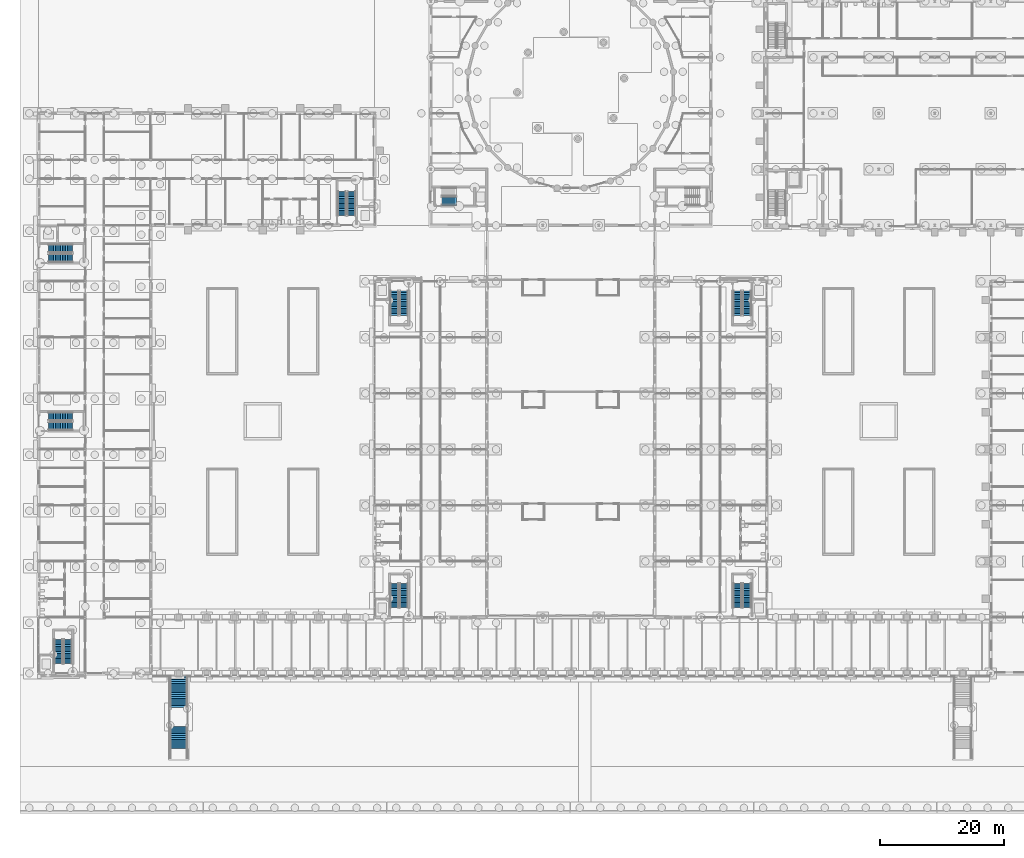
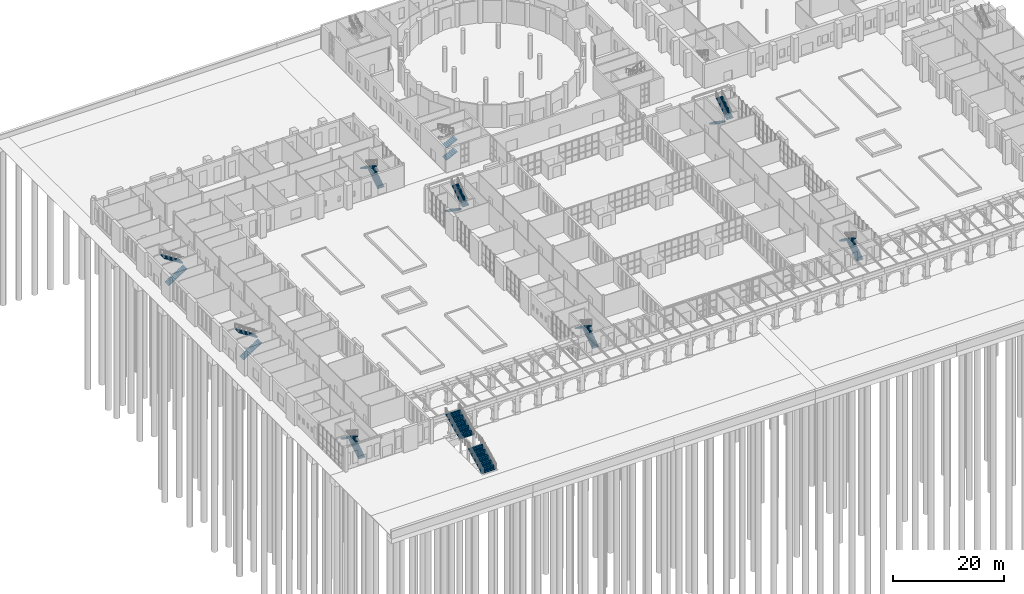
# One storey, part 111 of 168: 20 stair flights, 10 elements without a shape of their own.
"""IFC4 building model written with IfcOpenShell, lengths in metres."""

from ifc_helpers import new_model, si_unit, direction, frame, origin, place, context, subcontext, project, spatial, polyline, outline, extrude, material, type_object, element, aggregate, save


model = new_model("IFC4")

# Units and contexts
model_context = context("Model", 3, precision=1e-05, world=origin(), true_north=direction((0.0, 1.0)))
body_context = subcontext(model_context, "Body", "Model", "MODEL_VIEW")
ifc_project = project(units=[si_unit("LENGTHUNIT", "METRE"), si_unit("AREAUNIT", "SQUARE_METRE"), si_unit("VOLUMEUNIT", "CUBIC_METRE"), si_unit("PLANEANGLEUNIT", "RADIAN"), si_unit("MASSUNIT", "GRAM", prefix="KILO")], contexts=[model_context])

# Site, building, storey
site_placement = place(None, origin())
site = spatial("IfcSite", under=ifc_project, at=site_placement, CompositionType="ELEMENT")
building_placement = place(site_placement, origin())
building = spatial("IfcBuilding", under=site, at=building_placement, Name="Golden Quay Civic Hall", CompositionType="ELEMENT")
storey_placement = place(building_placement, origin())
storey = spatial("IfcBuildingStorey", under=building, at=storey_placement, Name="L00", CompositionType="ELEMENT", Elevation=0.0)

# Stair, stair flights
ifc_material_1 = material(Name="Concrete C35/45", Category="concrete")
stair_type_1 = type_object("IfcStairType", Name="Concrete stair 1350 wide 30 risers of 180.0", PredefinedType="HALF_TURN_STAIR", material=ifc_material_1)
stair_1_placement = place(storey_placement, origin())
stair_1 = element("IfcStair", 1, at=stair_1_placement, inside=storey, type_object=stair_type_1, Name="L00 Stair WO-S", PredefinedType="HALF_TURN_STAIR")
ifc_material_2 = material(Name="Concrete C35/45", Category="concrete")
stair_flight_type_1 = type_object("IfcStairFlightType", Name="Concrete stair flight 1350 wide 15 risers of 180.0", PredefinedType="STRAIGHT", material=ifc_material_2)
stair_flight_1_placement = place(storey_placement, frame((4.675048828125, -7.449951171875, 0.0), z_axis=(0.0, 0.0, 1.0), x_axis=(0.0, 1.0, 0.0)))
stair_flight_1 = element("IfcStairFlight", 2, at=stair_flight_1_placement, type_object=stair_flight_type_1, Name="WO-S flight 1", NumberOfRisers=15, NumberOfTreads=14, PredefinedType="STRAIGHT", RiserHeight=0.18, TreadLength=0.28, context=body_context, shape_type="SweptSolid", body=[
    extrude(outline(polyline([(0.0, 0.0), (0.0, 0.179931640625), (0.280029296875, 0.179931640625), (0.280029296875, 0.360107421875), (0.56005859375, 0.360107421875), (0.56005859375, 0.5400390625), (0.840087890625, 0.5400390625), (0.840087890625, 0.719970703125), (1.1201171875, 0.719970703125), (1.1201171875, 0.89990234375), (1.39990234375, 0.89990234375), (1.39990234375, 1.080078125), (1.679931640625, 1.080078125), (1.679931640625, 1.260009765625), (1.9599609375, 1.260009765625), (1.9599609375, 1.43994140625), (2.239990234375, 1.43994140625), (2.239990234375, 1.6201171875), (2.52001953125, 1.6201171875), (2.52001953125, 1.800048828125), (2.800048828125, 1.800048828125), (2.800048828125, 1.97998046875), (3.080078125, 1.97998046875), (3.080078125, 2.159912109375), (3.360107421875, 2.159912109375), (3.360107421875, 2.340087890625), (3.639892578125, 2.340087890625), (3.639892578125, 2.52001953125), (3.919921875, 2.52001953125), (3.919921875, 2.699951171875), (3.919921875, 2.341796875), (0.277099609375, 0.0), (0.0, 0.0)])), frame((0.0, 0.675048828125, 0.0), z_axis=(0.0, -1.0, 0.0), x_axis=(1.0, 0.0, 0.0)), (0.0, 0.0, 1.0), 1.35),
])
stair_flight_2_placement = place(storey_placement, frame((3.175048828125, -3.530029296875, 2.699951171875), z_axis=(0.0, 0.0, 1.0), x_axis=(0.0, -1.0, 0.0)))
stair_flight_2 = element("IfcStairFlight", 3, at=stair_flight_2_placement, type_object=stair_flight_type_1, Name="WO-S flight 2", NumberOfRisers=15, NumberOfTreads=14, PredefinedType="STRAIGHT", RiserHeight=0.18, TreadLength=0.28, context=body_context, shape_type="SweptSolid", body=[
    extrude(outline(polyline([(0.0, 0.0), (0.0, 0.179931640625), (0.280029296875, 0.179931640625), (0.280029296875, 0.360107421875), (0.56005859375, 0.360107421875), (0.56005859375, 0.5400390625), (0.840087890625, 0.5400390625), (0.840087890625, 0.719970703125), (1.1201171875, 0.719970703125), (1.1201171875, 0.89990234375), (1.39990234375, 0.89990234375), (1.39990234375, 1.080078125), (1.679931640625, 1.080078125), (1.679931640625, 1.260009765625), (1.9599609375, 1.260009765625), (1.9599609375, 1.43994140625), (2.239990234375, 1.43994140625), (2.239990234375, 1.6201171875), (2.52001953125, 1.6201171875), (2.52001953125, 1.800048828125), (2.800048828125, 1.800048828125), (2.800048828125, 1.97998046875), (3.080078125, 1.97998046875), (3.080078125, 2.159912109375), (3.360107421875, 2.159912109375), (3.360107421875, 2.340087890625), (3.639892578125, 2.340087890625), (3.639892578125, 2.52001953125), (3.919921875, 2.52001953125), (3.919921875, 2.699951171875), (3.919921875, 2.341796875), (0.277099609375, 0.0), (0.0, 0.0)])), frame((0.0, 0.675048828125, 0.0), z_axis=(0.0, -1.0, 0.0), x_axis=(1.0, 0.0, 0.0)), (0.0, 0.0, 1.0), 1.35),
])
aggregate(stair_1, [stair_flight_1, stair_flight_2])

stair_2_placement = place(storey_placement, origin())
stair_2 = element("IfcStair", 4, at=stair_2_placement, inside=storey, type_object=stair_type_1, Name="L00 Stair WO-N", PredefinedType="HALF_TURN_STAIR")
stair_flight_3_placement = place(storey_placement, frame((1.550048828125, 57.75, 0.0), z_axis=(0.0, 0.0, 1.0), x_axis=(1.0, 0.0, 0.0)))
stair_flight_3 = element("IfcStairFlight", 5, at=stair_flight_3_placement, type_object=stair_flight_type_1, Name="WO-N flight 1", NumberOfRisers=15, NumberOfTreads=14, PredefinedType="STRAIGHT", RiserHeight=0.18, TreadLength=0.28, context=body_context, shape_type="SweptSolid", body=[
    extrude(outline(polyline([(0.0, 0.0), (0.0, 0.179931640625), (0.280029296875, 0.179931640625), (0.280029296875, 0.360107421875), (0.56005859375, 0.360107421875), (0.56005859375, 0.5400390625), (0.840087890625, 0.5400390625), (0.840087890625, 0.719970703125), (1.1201171875, 0.719970703125), (1.1201171875, 0.89990234375), (1.39990234375, 0.89990234375), (1.39990234375, 1.080078125), (1.679931640625, 1.080078125), (1.679931640625, 1.260009765625), (1.9599609375, 1.260009765625), (1.9599609375, 1.43994140625), (2.239990234375, 1.43994140625), (2.239990234375, 1.6201171875), (2.52001953125, 1.6201171875), (2.52001953125, 1.800048828125), (2.800048828125, 1.800048828125), (2.800048828125, 1.97998046875), (3.080078125, 1.97998046875), (3.080078125, 2.159912109375), (3.360107421875, 2.159912109375), (3.360107421875, 2.340087890625), (3.639892578125, 2.340087890625), (3.639892578125, 2.52001953125), (3.919921875, 2.52001953125), (3.919921875, 2.699951171875), (3.919921875, 2.341796875), (0.277099609375, 0.0), (0.0, 0.0)])), frame((0.0, 0.675048828125, 0.0), z_axis=(0.0, -1.0, 0.0), x_axis=(1.0, 0.0, 0.0)), (0.0, 0.0, 1.0), 1.35),
])
stair_flight_4_placement = place(storey_placement, frame((5.469970703125, 59.25, 2.699951171875), z_axis=(0.0, 0.0, 1.0), x_axis=(-1.0, 0.0, 0.0)))
stair_flight_4 = element("IfcStairFlight", 6, at=stair_flight_4_placement, type_object=stair_flight_type_1, Name="WO-N flight 2", NumberOfRisers=15, NumberOfTreads=14, PredefinedType="STRAIGHT", RiserHeight=0.18, TreadLength=0.28, context=body_context, shape_type="SweptSolid", body=[
    extrude(outline(polyline([(0.0, 0.0), (0.0, 0.179931640625), (0.280029296875, 0.179931640625), (0.280029296875, 0.360107421875), (0.56005859375, 0.360107421875), (0.56005859375, 0.5400390625), (0.840087890625, 0.5400390625), (0.840087890625, 0.719970703125), (1.1201171875, 0.719970703125), (1.1201171875, 0.89990234375), (1.39990234375, 0.89990234375), (1.39990234375, 1.080078125), (1.679931640625, 1.080078125), (1.679931640625, 1.260009765625), (1.9599609375, 1.260009765625), (1.9599609375, 1.43994140625), (2.239990234375, 1.43994140625), (2.239990234375, 1.6201171875), (2.52001953125, 1.6201171875), (2.52001953125, 1.800048828125), (2.800048828125, 1.800048828125), (2.800048828125, 1.97998046875), (3.080078125, 1.97998046875), (3.080078125, 2.159912109375), (3.360107421875, 2.159912109375), (3.360107421875, 2.340087890625), (3.639892578125, 2.340087890625), (3.639892578125, 2.52001953125), (3.919921875, 2.52001953125), (3.919921875, 2.699951171875), (3.919921875, 2.341796875), (0.277099609375, 0.0), (0.0, 0.0)])), frame((0.0, 0.675048828125, 0.0), z_axis=(0.0, -1.0, 0.0), x_axis=(1.0, 0.0, 0.0)), (0.0, 0.0, 1.0), 1.35),
])
aggregate(stair_2, [stair_flight_3, stair_flight_4])

stair_3_placement = place(storey_placement, origin())
stair_3 = element("IfcStair", 7, at=stair_3_placement, inside=storey, type_object=stair_type_1, Name="L00 Stair WO-M", PredefinedType="HALF_TURN_STAIR")
stair_flight_5_placement = place(storey_placement, frame((1.550048828125, 30.75, 0.0), z_axis=(0.0, 0.0, 1.0), x_axis=(1.0, 0.0, 0.0)))
stair_flight_5 = element("IfcStairFlight", 8, at=stair_flight_5_placement, type_object=stair_flight_type_1, Name="WO-M flight 1", NumberOfRisers=15, NumberOfTreads=14, PredefinedType="STRAIGHT", RiserHeight=0.18, TreadLength=0.28, context=body_context, shape_type="SweptSolid", body=[
    extrude(outline(polyline([(0.0, 0.0), (0.0, 0.179931640625), (0.280029296875, 0.179931640625), (0.280029296875, 0.360107421875), (0.56005859375, 0.360107421875), (0.56005859375, 0.5400390625), (0.840087890625, 0.5400390625), (0.840087890625, 0.719970703125), (1.1201171875, 0.719970703125), (1.1201171875, 0.89990234375), (1.39990234375, 0.89990234375), (1.39990234375, 1.080078125), (1.679931640625, 1.080078125), (1.679931640625, 1.260009765625), (1.9599609375, 1.260009765625), (1.9599609375, 1.43994140625), (2.239990234375, 1.43994140625), (2.239990234375, 1.6201171875), (2.52001953125, 1.6201171875), (2.52001953125, 1.800048828125), (2.800048828125, 1.800048828125), (2.800048828125, 1.97998046875), (3.080078125, 1.97998046875), (3.080078125, 2.159912109375), (3.360107421875, 2.159912109375), (3.360107421875, 2.340087890625), (3.639892578125, 2.340087890625), (3.639892578125, 2.52001953125), (3.919921875, 2.52001953125), (3.919921875, 2.699951171875), (3.919921875, 2.341796875), (0.277099609375, 0.0), (0.0, 0.0)])), frame((0.0, 0.675048828125, 0.0), z_axis=(0.0, -1.0, 0.0), x_axis=(1.0, 0.0, 0.0)), (0.0, 0.0, 1.0), 1.35),
])
stair_flight_6_placement = place(storey_placement, frame((5.469970703125, 32.25, 2.699951171875), z_axis=(0.0, 0.0, 1.0), x_axis=(-1.0, 0.0, 0.0)))
stair_flight_6 = element("IfcStairFlight", 9, at=stair_flight_6_placement, type_object=stair_flight_type_1, Name="WO-M flight 2", NumberOfRisers=15, NumberOfTreads=14, PredefinedType="STRAIGHT", RiserHeight=0.18, TreadLength=0.28, context=body_context, shape_type="SweptSolid", body=[
    extrude(outline(polyline([(0.0, 0.0), (0.0, 0.179931640625), (0.280029296875, 0.179931640625), (0.280029296875, 0.360107421875), (0.56005859375, 0.360107421875), (0.56005859375, 0.5400390625), (0.840087890625, 0.5400390625), (0.840087890625, 0.719970703125), (1.1201171875, 0.719970703125), (1.1201171875, 0.89990234375), (1.39990234375, 0.89990234375), (1.39990234375, 1.080078125), (1.679931640625, 1.080078125), (1.679931640625, 1.260009765625), (1.9599609375, 1.260009765625), (1.9599609375, 1.43994140625), (2.239990234375, 1.43994140625), (2.239990234375, 1.6201171875), (2.52001953125, 1.6201171875), (2.52001953125, 1.800048828125), (2.800048828125, 1.800048828125), (2.800048828125, 1.97998046875), (3.080078125, 1.97998046875), (3.080078125, 2.159912109375), (3.360107421875, 2.159912109375), (3.360107421875, 2.340087890625), (3.639892578125, 2.340087890625), (3.639892578125, 2.52001953125), (3.919921875, 2.52001953125), (3.919921875, 2.699951171875), (3.919921875, 2.341796875), (0.277099609375, 0.0), (0.0, 0.0)])), frame((0.0, 0.675048828125, 0.0), z_axis=(0.0, -1.0, 0.0), x_axis=(1.0, 0.0, 0.0)), (0.0, 0.0, 1.0), 1.35),
])
aggregate(stair_3, [stair_flight_5, stair_flight_6])

stair_4_placement = place(storey_placement, origin())
stair_4 = element("IfcStair", 10, at=stair_4_placement, inside=storey, type_object=stair_type_1, Name="L00 Stair NW-E", PredefinedType="HALF_TURN_STAIR")
stair_flight_7_placement = place(storey_placement, frame((50.25, 64.550048828125, 0.0), z_axis=(0.0, 0.0, 1.0), x_axis=(0.0, 1.0, 0.0)))
stair_flight_7 = element("IfcStairFlight", 11, at=stair_flight_7_placement, type_object=stair_flight_type_1, Name="NW-E flight 1", NumberOfRisers=15, NumberOfTreads=14, PredefinedType="STRAIGHT", RiserHeight=0.18, TreadLength=0.28, context=body_context, shape_type="SweptSolid", body=[
    extrude(outline(polyline([(0.0, 0.0), (0.0, 0.179931640625), (0.280029296875, 0.179931640625), (0.280029296875, 0.360107421875), (0.56005859375, 0.360107421875), (0.56005859375, 0.5400390625), (0.840087890625, 0.5400390625), (0.840087890625, 0.719970703125), (1.1201171875, 0.719970703125), (1.1201171875, 0.89990234375), (1.39990234375, 0.89990234375), (1.39990234375, 1.080078125), (1.679931640625, 1.080078125), (1.679931640625, 1.260009765625), (1.9599609375, 1.260009765625), (1.9599609375, 1.43994140625), (2.239990234375, 1.43994140625), (2.239990234375, 1.6201171875), (2.52001953125, 1.6201171875), (2.52001953125, 1.800048828125), (2.800048828125, 1.800048828125), (2.800048828125, 1.97998046875), (3.080078125, 1.97998046875), (3.080078125, 2.159912109375), (3.360107421875, 2.159912109375), (3.360107421875, 2.340087890625), (3.639892578125, 2.340087890625), (3.639892578125, 2.52001953125), (3.919921875, 2.52001953125), (3.919921875, 2.699951171875), (3.919921875, 2.341796875), (0.277099609375, 0.0), (0.0, 0.0)])), frame((0.0, 0.675048828125, 0.0), z_axis=(0.0, -1.0, 0.0), x_axis=(1.0, 0.0, 0.0)), (0.0, 0.0, 1.0), 1.35),
])
stair_flight_8_placement = place(storey_placement, frame((48.75, 68.469970703125, 2.699951171875), z_axis=(0.0, 0.0, 1.0), x_axis=(0.0, -1.0, 0.0)))
stair_flight_8 = element("IfcStairFlight", 12, at=stair_flight_8_placement, type_object=stair_flight_type_1, Name="NW-E flight 2", NumberOfRisers=15, NumberOfTreads=14, PredefinedType="STRAIGHT", RiserHeight=0.18, TreadLength=0.28, context=body_context, shape_type="SweptSolid", body=[
    extrude(outline(polyline([(0.0, 0.0), (0.0, 0.179931640625), (0.280029296875, 0.179931640625), (0.280029296875, 0.360107421875), (0.56005859375, 0.360107421875), (0.56005859375, 0.5400390625), (0.840087890625, 0.5400390625), (0.840087890625, 0.719970703125), (1.1201171875, 0.719970703125), (1.1201171875, 0.89990234375), (1.39990234375, 0.89990234375), (1.39990234375, 1.080078125), (1.679931640625, 1.080078125), (1.679931640625, 1.260009765625), (1.9599609375, 1.260009765625), (1.9599609375, 1.43994140625), (2.239990234375, 1.43994140625), (2.239990234375, 1.6201171875), (2.52001953125, 1.6201171875), (2.52001953125, 1.800048828125), (2.800048828125, 1.800048828125), (2.800048828125, 1.97998046875), (3.080078125, 1.97998046875), (3.080078125, 2.159912109375), (3.360107421875, 2.159912109375), (3.360107421875, 2.340087890625), (3.639892578125, 2.340087890625), (3.639892578125, 2.52001953125), (3.919921875, 2.52001953125), (3.919921875, 2.699951171875), (3.919921875, 2.341796875), (0.277099609375, 0.0), (0.0, 0.0)])), frame((0.0, 0.675048828125, 0.0), z_axis=(0.0, -1.0, 0.0), x_axis=(1.0, 0.0, 0.0)), (0.0, 0.0, 1.0), 1.35),
])
aggregate(stair_4, [stair_flight_7, stair_flight_8])

stair_5_placement = place(storey_placement, origin())
stair_5 = element("IfcStair", 13, at=stair_5_placement, inside=storey, type_object=stair_type_1, Name="L00 Stair WM-S", PredefinedType="HALF_TURN_STAIR")
stair_flight_9_placement = place(storey_placement, frame((58.675048828125, 1.550048828125, 0.0), z_axis=(0.0, 0.0, 1.0), x_axis=(0.0, 1.0, 0.0)))
stair_flight_9 = element("IfcStairFlight", 14, at=stair_flight_9_placement, type_object=stair_flight_type_1, Name="WM-S flight 1", NumberOfRisers=15, NumberOfTreads=14, PredefinedType="STRAIGHT", RiserHeight=0.18, TreadLength=0.28, context=body_context, shape_type="SweptSolid", body=[
    extrude(outline(polyline([(0.0, 0.0), (0.0, 0.179931640625), (0.280029296875, 0.179931640625), (0.280029296875, 0.360107421875), (0.56005859375, 0.360107421875), (0.56005859375, 0.5400390625), (0.840087890625, 0.5400390625), (0.840087890625, 0.719970703125), (1.1201171875, 0.719970703125), (1.1201171875, 0.89990234375), (1.39990234375, 0.89990234375), (1.39990234375, 1.080078125), (1.679931640625, 1.080078125), (1.679931640625, 1.260009765625), (1.9599609375, 1.260009765625), (1.9599609375, 1.43994140625), (2.239990234375, 1.43994140625), (2.239990234375, 1.6201171875), (2.52001953125, 1.6201171875), (2.52001953125, 1.800048828125), (2.800048828125, 1.800048828125), (2.800048828125, 1.97998046875), (3.080078125, 1.97998046875), (3.080078125, 2.159912109375), (3.360107421875, 2.159912109375), (3.360107421875, 2.340087890625), (3.639892578125, 2.340087890625), (3.639892578125, 2.52001953125), (3.919921875, 2.52001953125), (3.919921875, 2.699951171875), (3.919921875, 2.341796875), (0.277099609375, 0.0), (0.0, 0.0)])), frame((0.0, 0.675048828125, 0.0), z_axis=(0.0, -1.0, 0.0), x_axis=(1.0, 0.0, 0.0)), (0.0, 0.0, 1.0), 1.35),
])
stair_flight_10_placement = place(storey_placement, frame((57.175048828125, 5.469970703125, 2.699951171875), z_axis=(0.0, 0.0, 1.0), x_axis=(0.0, -1.0, 0.0)))
stair_flight_10 = element("IfcStairFlight", 15, at=stair_flight_10_placement, type_object=stair_flight_type_1, Name="WM-S flight 2", NumberOfRisers=15, NumberOfTreads=14, PredefinedType="STRAIGHT", RiserHeight=0.18, TreadLength=0.28, context=body_context, shape_type="SweptSolid", body=[
    extrude(outline(polyline([(0.0, 0.0), (0.0, 0.179931640625), (0.280029296875, 0.179931640625), (0.280029296875, 0.360107421875), (0.56005859375, 0.360107421875), (0.56005859375, 0.5400390625), (0.840087890625, 0.5400390625), (0.840087890625, 0.719970703125), (1.1201171875, 0.719970703125), (1.1201171875, 0.89990234375), (1.39990234375, 0.89990234375), (1.39990234375, 1.080078125), (1.679931640625, 1.080078125), (1.679931640625, 1.260009765625), (1.9599609375, 1.260009765625), (1.9599609375, 1.43994140625), (2.239990234375, 1.43994140625), (2.239990234375, 1.6201171875), (2.52001953125, 1.6201171875), (2.52001953125, 1.800048828125), (2.800048828125, 1.800048828125), (2.800048828125, 1.97998046875), (3.080078125, 1.97998046875), (3.080078125, 2.159912109375), (3.360107421875, 2.159912109375), (3.360107421875, 2.340087890625), (3.639892578125, 2.340087890625), (3.639892578125, 2.52001953125), (3.919921875, 2.52001953125), (3.919921875, 2.699951171875), (3.919921875, 2.341796875), (0.277099609375, 0.0), (0.0, 0.0)])), frame((0.0, 0.675048828125, 0.0), z_axis=(0.0, -1.0, 0.0), x_axis=(1.0, 0.0, 0.0)), (0.0, 0.0, 1.0), 1.35),
])
aggregate(stair_5, [stair_flight_9, stair_flight_10])

stair_6_placement = place(storey_placement, origin())
stair_6 = element("IfcStair", 16, at=stair_6_placement, inside=storey, type_object=stair_type_1, Name="L00 Stair WM-N", PredefinedType="HALF_TURN_STAIR")
stair_flight_11_placement = place(storey_placement, frame((57.175048828125, 52.449951171875, 0.0), z_axis=(0.0, 0.0, 1.0), x_axis=(0.0, -1.0, 0.0)))
stair_flight_11 = element("IfcStairFlight", 17, at=stair_flight_11_placement, type_object=stair_flight_type_1, Name="WM-N flight 1", NumberOfRisers=15, NumberOfTreads=14, PredefinedType="STRAIGHT", RiserHeight=0.18, TreadLength=0.28, context=body_context, shape_type="SweptSolid", body=[
    extrude(outline(polyline([(0.0, 0.0), (0.0, 0.179931640625), (0.280029296875, 0.179931640625), (0.280029296875, 0.360107421875), (0.56005859375, 0.360107421875), (0.56005859375, 0.5400390625), (0.840087890625, 0.5400390625), (0.840087890625, 0.719970703125), (1.1201171875, 0.719970703125), (1.1201171875, 0.89990234375), (1.39990234375, 0.89990234375), (1.39990234375, 1.080078125), (1.679931640625, 1.080078125), (1.679931640625, 1.260009765625), (1.9599609375, 1.260009765625), (1.9599609375, 1.43994140625), (2.239990234375, 1.43994140625), (2.239990234375, 1.6201171875), (2.52001953125, 1.6201171875), (2.52001953125, 1.800048828125), (2.800048828125, 1.800048828125), (2.800048828125, 1.97998046875), (3.080078125, 1.97998046875), (3.080078125, 2.159912109375), (3.360107421875, 2.159912109375), (3.360107421875, 2.340087890625), (3.639892578125, 2.340087890625), (3.639892578125, 2.52001953125), (3.919921875, 2.52001953125), (3.919921875, 2.699951171875), (3.919921875, 2.341796875), (0.277099609375, 0.0), (0.0, 0.0)])), frame((0.0, 0.675048828125, 0.0), z_axis=(0.0, -1.0, 0.0), x_axis=(1.0, 0.0, 0.0)), (0.0, 0.0, 1.0), 1.35),
])
stair_flight_12_placement = place(storey_placement, frame((58.675048828125, 48.530029296875, 2.699951171875), z_axis=(0.0, 0.0, 1.0), x_axis=(0.0, 1.0, 0.0)))
stair_flight_12 = element("IfcStairFlight", 18, at=stair_flight_12_placement, type_object=stair_flight_type_1, Name="WM-N flight 2", NumberOfRisers=15, NumberOfTreads=14, PredefinedType="STRAIGHT", RiserHeight=0.18, TreadLength=0.28, context=body_context, shape_type="SweptSolid", body=[
    extrude(outline(polyline([(0.0, 0.0), (0.0, 0.179931640625), (0.280029296875, 0.179931640625), (0.280029296875, 0.360107421875), (0.56005859375, 0.360107421875), (0.56005859375, 0.5400390625), (0.840087890625, 0.5400390625), (0.840087890625, 0.719970703125), (1.1201171875, 0.719970703125), (1.1201171875, 0.89990234375), (1.39990234375, 0.89990234375), (1.39990234375, 1.080078125), (1.679931640625, 1.080078125), (1.679931640625, 1.260009765625), (1.9599609375, 1.260009765625), (1.9599609375, 1.43994140625), (2.239990234375, 1.43994140625), (2.239990234375, 1.6201171875), (2.52001953125, 1.6201171875), (2.52001953125, 1.800048828125), (2.800048828125, 1.800048828125), (2.800048828125, 1.97998046875), (3.080078125, 1.97998046875), (3.080078125, 2.159912109375), (3.360107421875, 2.159912109375), (3.360107421875, 2.340087890625), (3.639892578125, 2.340087890625), (3.639892578125, 2.52001953125), (3.919921875, 2.52001953125), (3.919921875, 2.699951171875), (3.919921875, 2.341796875), (0.277099609375, 0.0), (0.0, 0.0)])), frame((0.0, 0.675048828125, 0.0), z_axis=(0.0, -1.0, 0.0), x_axis=(1.0, 0.0, 0.0)), (0.0, 0.0, 1.0), 1.35),
])
aggregate(stair_6, [stair_flight_11, stair_flight_12])

stair_7_placement = place(storey_placement, origin())
stair_7 = element("IfcStair", 19, at=stair_7_placement, inside=storey, type_object=stair_type_1, Name="L00 Stair EM-S", PredefinedType="HALF_TURN_STAIR")
stair_flight_13_placement = place(storey_placement, frame((113.824951171875, 1.550048828125, 0.0), z_axis=(0.0, 0.0, 1.0), x_axis=(0.0, 1.0, 0.0)))
stair_flight_13 = element("IfcStairFlight", 20, at=stair_flight_13_placement, type_object=stair_flight_type_1, Name="EM-S flight 1", NumberOfRisers=15, NumberOfTreads=14, PredefinedType="STRAIGHT", RiserHeight=0.18, TreadLength=0.28, context=body_context, shape_type="SweptSolid", body=[
    extrude(outline(polyline([(0.0, 0.0), (0.0, 0.179931640625), (0.280029296875, 0.179931640625), (0.280029296875, 0.360107421875), (0.56005859375, 0.360107421875), (0.56005859375, 0.5400390625), (0.840087890625, 0.5400390625), (0.840087890625, 0.719970703125), (1.1201171875, 0.719970703125), (1.1201171875, 0.89990234375), (1.39990234375, 0.89990234375), (1.39990234375, 1.080078125), (1.679931640625, 1.080078125), (1.679931640625, 1.260009765625), (1.9599609375, 1.260009765625), (1.9599609375, 1.43994140625), (2.239990234375, 1.43994140625), (2.239990234375, 1.6201171875), (2.52001953125, 1.6201171875), (2.52001953125, 1.800048828125), (2.800048828125, 1.800048828125), (2.800048828125, 1.97998046875), (3.080078125, 1.97998046875), (3.080078125, 2.159912109375), (3.360107421875, 2.159912109375), (3.360107421875, 2.340087890625), (3.639892578125, 2.340087890625), (3.639892578125, 2.52001953125), (3.919921875, 2.52001953125), (3.919921875, 2.699951171875), (3.919921875, 2.341796875), (0.277099609375, 0.0), (0.0, 0.0)])), frame((0.0, 0.675048828125, 0.0), z_axis=(0.0, -1.0, 0.0), x_axis=(1.0, 0.0, 0.0)), (0.0, 0.0, 1.0), 1.35),
])
stair_flight_14_placement = place(storey_placement, frame((112.324951171875, 5.469970703125, 2.699951171875), z_axis=(0.0, 0.0, 1.0), x_axis=(0.0, -1.0, 0.0)))
stair_flight_14 = element("IfcStairFlight", 21, at=stair_flight_14_placement, type_object=stair_flight_type_1, Name="EM-S flight 2", NumberOfRisers=15, NumberOfTreads=14, PredefinedType="STRAIGHT", RiserHeight=0.18, TreadLength=0.28, context=body_context, shape_type="SweptSolid", body=[
    extrude(outline(polyline([(0.0, 0.0), (0.0, 0.179931640625), (0.280029296875, 0.179931640625), (0.280029296875, 0.360107421875), (0.56005859375, 0.360107421875), (0.56005859375, 0.5400390625), (0.840087890625, 0.5400390625), (0.840087890625, 0.719970703125), (1.1201171875, 0.719970703125), (1.1201171875, 0.89990234375), (1.39990234375, 0.89990234375), (1.39990234375, 1.080078125), (1.679931640625, 1.080078125), (1.679931640625, 1.260009765625), (1.9599609375, 1.260009765625), (1.9599609375, 1.43994140625), (2.239990234375, 1.43994140625), (2.239990234375, 1.6201171875), (2.52001953125, 1.6201171875), (2.52001953125, 1.800048828125), (2.800048828125, 1.800048828125), (2.800048828125, 1.97998046875), (3.080078125, 1.97998046875), (3.080078125, 2.159912109375), (3.360107421875, 2.159912109375), (3.360107421875, 2.340087890625), (3.639892578125, 2.340087890625), (3.639892578125, 2.52001953125), (3.919921875, 2.52001953125), (3.919921875, 2.699951171875), (3.919921875, 2.341796875), (0.277099609375, 0.0), (0.0, 0.0)])), frame((0.0, 0.675048828125, 0.0), z_axis=(0.0, -1.0, 0.0), x_axis=(1.0, 0.0, 0.0)), (0.0, 0.0, 1.0), 1.35),
])
aggregate(stair_7, [stair_flight_13, stair_flight_14])

stair_8_placement = place(storey_placement, origin())
stair_8 = element("IfcStair", 22, at=stair_8_placement, inside=storey, type_object=stair_type_1, Name="L00 Stair EM-N", PredefinedType="HALF_TURN_STAIR")
stair_flight_15_placement = place(storey_placement, frame((112.324951171875, 52.449951171875, 0.0), z_axis=(0.0, 0.0, 1.0), x_axis=(0.0, -1.0, 0.0)))
stair_flight_15 = element("IfcStairFlight", 23, at=stair_flight_15_placement, type_object=stair_flight_type_1, Name="EM-N flight 1", NumberOfRisers=15, NumberOfTreads=14, PredefinedType="STRAIGHT", RiserHeight=0.18, TreadLength=0.28, context=body_context, shape_type="SweptSolid", body=[
    extrude(outline(polyline([(0.0, 0.0), (0.0, 0.179931640625), (0.280029296875, 0.179931640625), (0.280029296875, 0.360107421875), (0.56005859375, 0.360107421875), (0.56005859375, 0.5400390625), (0.840087890625, 0.5400390625), (0.840087890625, 0.719970703125), (1.1201171875, 0.719970703125), (1.1201171875, 0.89990234375), (1.39990234375, 0.89990234375), (1.39990234375, 1.080078125), (1.679931640625, 1.080078125), (1.679931640625, 1.260009765625), (1.9599609375, 1.260009765625), (1.9599609375, 1.43994140625), (2.239990234375, 1.43994140625), (2.239990234375, 1.6201171875), (2.52001953125, 1.6201171875), (2.52001953125, 1.800048828125), (2.800048828125, 1.800048828125), (2.800048828125, 1.97998046875), (3.080078125, 1.97998046875), (3.080078125, 2.159912109375), (3.360107421875, 2.159912109375), (3.360107421875, 2.340087890625), (3.639892578125, 2.340087890625), (3.639892578125, 2.52001953125), (3.919921875, 2.52001953125), (3.919921875, 2.699951171875), (3.919921875, 2.341796875), (0.277099609375, 0.0), (0.0, 0.0)])), frame((0.0, 0.675048828125, 0.0), z_axis=(0.0, -1.0, 0.0), x_axis=(1.0, 0.0, 0.0)), (0.0, 0.0, 1.0), 1.35),
])
stair_flight_16_placement = place(storey_placement, frame((113.824951171875, 48.530029296875, 2.699951171875), z_axis=(0.0, 0.0, 1.0), x_axis=(0.0, 1.0, 0.0)))
stair_flight_16 = element("IfcStairFlight", 24, at=stair_flight_16_placement, type_object=stair_flight_type_1, Name="EM-N flight 2", NumberOfRisers=15, NumberOfTreads=14, PredefinedType="STRAIGHT", RiserHeight=0.18, TreadLength=0.28, context=body_context, shape_type="SweptSolid", body=[
    extrude(outline(polyline([(0.0, 0.0), (0.0, 0.179931640625), (0.280029296875, 0.179931640625), (0.280029296875, 0.360107421875), (0.56005859375, 0.360107421875), (0.56005859375, 0.5400390625), (0.840087890625, 0.5400390625), (0.840087890625, 0.719970703125), (1.1201171875, 0.719970703125), (1.1201171875, 0.89990234375), (1.39990234375, 0.89990234375), (1.39990234375, 1.080078125), (1.679931640625, 1.080078125), (1.679931640625, 1.260009765625), (1.9599609375, 1.260009765625), (1.9599609375, 1.43994140625), (2.239990234375, 1.43994140625), (2.239990234375, 1.6201171875), (2.52001953125, 1.6201171875), (2.52001953125, 1.800048828125), (2.800048828125, 1.800048828125), (2.800048828125, 1.97998046875), (3.080078125, 1.97998046875), (3.080078125, 2.159912109375), (3.360107421875, 2.159912109375), (3.360107421875, 2.340087890625), (3.639892578125, 2.340087890625), (3.639892578125, 2.52001953125), (3.919921875, 2.52001953125), (3.919921875, 2.699951171875), (3.919921875, 2.341796875), (0.277099609375, 0.0), (0.0, 0.0)])), frame((0.0, 0.675048828125, 0.0), z_axis=(0.0, -1.0, 0.0), x_axis=(1.0, 0.0, 0.0)), (0.0, 0.0, 1.0), 1.35),
])
aggregate(stair_8, [stair_flight_15, stair_flight_16])

ifc_material_3 = material(Name="Concrete C30/37", Category="concrete")
stair_type_2 = type_object("IfcStairType", Name="Public stair concrete 3000", PredefinedType="TWO_STRAIGHT_RUN_STAIR", material=ifc_material_3)
stair_9_placement = place(storey_placement, origin())
stair_9 = element("IfcStair", 25, at=stair_9_placement, inside=storey, type_object=stair_type_2, Name="Public stair west", PredefinedType="TWO_STRAIGHT_RUN_STAIR")
ifc_material_4 = material(Name="Concrete C30/37", Category="concrete")
stair_flight_type_2 = type_object("IfcStairFlightType", Name="Public stair flight concrete 3000", PredefinedType="STRAIGHT", material=ifc_material_4)
stair_flight_17_placement = place(storey_placement, frame((22.5, -22.60009765625, 0.0), z_axis=(0.0, 0.0, 1.0), x_axis=(0.0, 1.0, 0.0)))
stair_flight_17 = element("IfcStairFlight", 26, at=stair_flight_17_placement, type_object=stair_flight_type_2, Name="ST1 flight 1", NumberOfRisers=18, NumberOfTreads=17, PredefinedType="STRAIGHT", RiserHeight=0.15, TreadLength=0.3, context=body_context, shape_type="SweptSolid", body=[
    extrude(outline(polyline([(0.0, 0.0), (0.0, 0.14990234375), (0.300048828125, 0.14990234375), (0.300048828125, 0.300048828125), (0.60009765625, 0.300048828125), (0.60009765625, 0.449951171875), (0.89990234375, 0.449951171875), (0.89990234375, 0.60009765625), (1.199951171875, 0.60009765625), (1.199951171875, 0.75), (1.5, 0.75), (1.5, 0.89990234375), (1.800048828125, 0.89990234375), (1.800048828125, 1.050048828125), (2.10009765625, 1.050048828125), (2.10009765625, 1.199951171875), (2.39990234375, 1.199951171875), (2.39990234375, 1.35009765625), (2.699951171875, 1.35009765625), (2.699951171875, 1.5), (3.0, 1.5), (3.0, 1.64990234375), (3.300048828125, 1.64990234375), (3.300048828125, 1.800048828125), (3.60009765625, 1.800048828125), (3.60009765625, 1.949951171875), (3.89990234375, 1.949951171875), (3.89990234375, 2.10009765625), (4.199951171875, 2.10009765625), (4.199951171875, 2.25), (4.5, 2.25), (4.5, 2.39990234375), (4.800048828125, 2.39990234375), (4.800048828125, 2.550048828125), (5.10009765625, 2.550048828125), (5.10009765625, 2.699951171875), (5.10009765625, 2.38232421875), (0.335205078125, 0.0), (0.0, 0.0)])), frame((0.0, 1.5, 0.0), z_axis=(0.0, -1.0, 0.0), x_axis=(1.0, 0.0, 0.0)), (0.0, 0.0, 1.0), 3.0),
])
stair_flight_18_placement = place(storey_placement, frame((22.5, -14.5, 2.699951171875), z_axis=(0.0, 0.0, 1.0), x_axis=(0.0, 1.0, 0.0)))
stair_flight_18 = element("IfcStairFlight", 27, at=stair_flight_18_placement, type_object=stair_flight_type_2, Name="ST1 flight 2", NumberOfRisers=18, NumberOfTreads=17, PredefinedType="STRAIGHT", RiserHeight=0.15, TreadLength=0.3, context=body_context, shape_type="SweptSolid", body=[
    extrude(outline(polyline([(0.0, 0.0), (0.0, 0.14990234375), (0.300048828125, 0.14990234375), (0.300048828125, 0.300048828125), (0.60009765625, 0.300048828125), (0.60009765625, 0.449951171875), (0.89990234375, 0.449951171875), (0.89990234375, 0.60009765625), (1.199951171875, 0.60009765625), (1.199951171875, 0.75), (1.5, 0.75), (1.5, 0.89990234375), (1.800048828125, 0.89990234375), (1.800048828125, 1.050048828125), (2.10009765625, 1.050048828125), (2.10009765625, 1.199951171875), (2.39990234375, 1.199951171875), (2.39990234375, 1.35009765625), (2.699951171875, 1.35009765625), (2.699951171875, 1.5), (3.0, 1.5), (3.0, 1.64990234375), (3.300048828125, 1.64990234375), (3.300048828125, 1.800048828125), (3.60009765625, 1.800048828125), (3.60009765625, 1.949951171875), (3.89990234375, 1.949951171875), (3.89990234375, 2.10009765625), (4.199951171875, 2.10009765625), (4.199951171875, 2.25), (4.5, 2.25), (4.5, 2.39990234375), (4.800048828125, 2.39990234375), (4.800048828125, 2.550048828125), (5.10009765625, 2.550048828125), (5.10009765625, 2.699951171875), (5.10009765625, 2.38232421875), (0.335205078125, 0.0), (0.0, 0.0)])), frame((0.0, 1.5, 0.0), z_axis=(0.0, -1.0, 0.0), x_axis=(1.0, 0.0, 0.0)), (0.0, 0.0, 1.0), 3.0),
])
aggregate(stair_9, [stair_flight_17, stair_flight_18])

ifc_material_5 = material(Name="Concrete C35/45", Category="concrete")
stair_type_3 = type_object("IfcStairType", Name="Reinforced concrete stair 1350", PredefinedType="HALF_TURN_STAIR", material=ifc_material_5)
stair_10_placement = place(storey_placement, origin())
stair_10 = element("IfcStair", 28, at=stair_10_placement, inside=storey, type_object=stair_type_3, Name="L00 Core stair SW", PredefinedType="HALF_TURN_STAIR")
ifc_material_6 = material(Name="Concrete C35/45", Category="concrete")
stair_flight_type_3 = type_object("IfcStairFlightType", Name="Reinforced concrete stair flight 1350", PredefinedType="STRAIGHT", material=ifc_material_6)
stair_flight_19_placement = place(storey_placement, frame((64.800048828125, 66.875, 0.0), z_axis=(0.0, 0.0, 1.0), x_axis=(1.0, 0.0, 0.0)))
stair_flight_19 = element("IfcStairFlight", 29, at=stair_flight_19_placement, type_object=stair_flight_type_3, Name="CB-SW flight 1", NumberOfRisers=8, NumberOfTreads=7, PredefinedType="STRAIGHT", RiserHeight=0.16875, TreadLength=0.33, context=body_context, shape_type="SweptSolid", body=[
    extrude(outline(polyline([(0.0, 0.0), (0.0, 0.168701171875), (0.330078125, 0.168701171875), (0.330078125, 0.33740234375), (0.659912109375, 0.33740234375), (0.659912109375, 0.50634765625), (0.989990234375, 0.50634765625), (0.989990234375, 0.675048828125), (1.320068359375, 0.675048828125), (1.320068359375, 0.84375), (1.64990234375, 0.84375), (1.64990234375, 1.012451171875), (1.97998046875, 1.012451171875), (1.97998046875, 1.18115234375), (2.31005859375, 1.18115234375), (2.31005859375, 1.35009765625), (2.31005859375, 1.012939453125), (0.329345703125, 0.0), (0.0, 0.0)])), frame((0.0, 0.675048828125, 0.0), z_axis=(0.0, -1.0, 0.0), x_axis=(1.0, 0.0, 0.0)), (0.0, 0.0, 1.0), 1.35),
])
stair_flight_20_placement = place(storey_placement, frame((64.800048828125, 66.875, 2.699951171875), z_axis=(0.0, 0.0, 1.0), x_axis=(1.0, 0.0, 0.0)))
stair_flight_20 = element("IfcStairFlight", 30, at=stair_flight_20_placement, type_object=stair_flight_type_3, Name="CB-SW flight 3", NumberOfRisers=8, NumberOfTreads=7, PredefinedType="STRAIGHT", RiserHeight=0.16875, TreadLength=0.33, context=body_context, shape_type="SweptSolid", body=[
    extrude(outline(polyline([(0.0, 0.0), (0.0, 0.168701171875), (0.330078125, 0.168701171875), (0.330078125, 0.33740234375), (0.659912109375, 0.33740234375), (0.659912109375, 0.50634765625), (0.989990234375, 0.50634765625), (0.989990234375, 0.675048828125), (1.320068359375, 0.675048828125), (1.320068359375, 0.84375), (1.64990234375, 0.84375), (1.64990234375, 1.012451171875), (1.97998046875, 1.012451171875), (1.97998046875, 1.18115234375), (2.31005859375, 1.18115234375), (2.31005859375, 1.35009765625), (2.31005859375, 1.012939453125), (0.329345703125, 0.0), (0.0, 0.0)])), frame((0.0, 0.675048828125, 0.0), z_axis=(0.0, -1.0, 0.0), x_axis=(1.0, 0.0, 0.0)), (0.0, 0.0, 1.0), 1.35),
])
aggregate(stair_10, [stair_flight_19, stair_flight_20])

save(model, "model.ifc")
